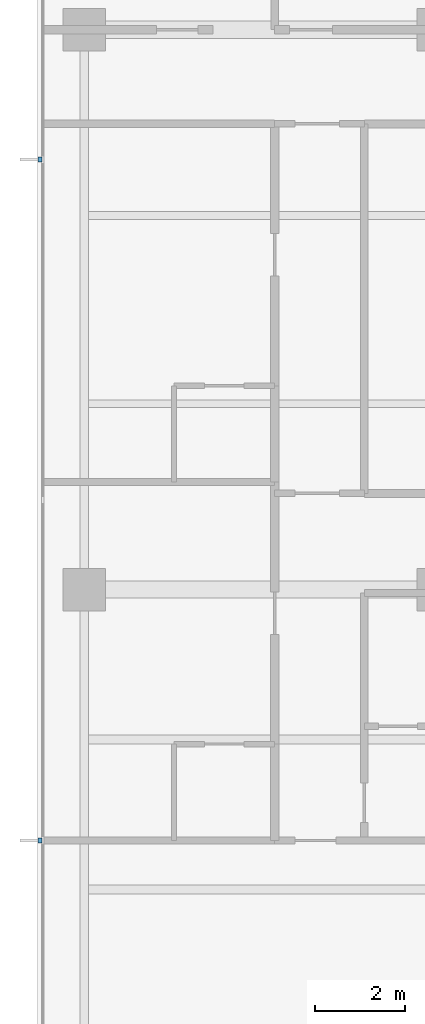
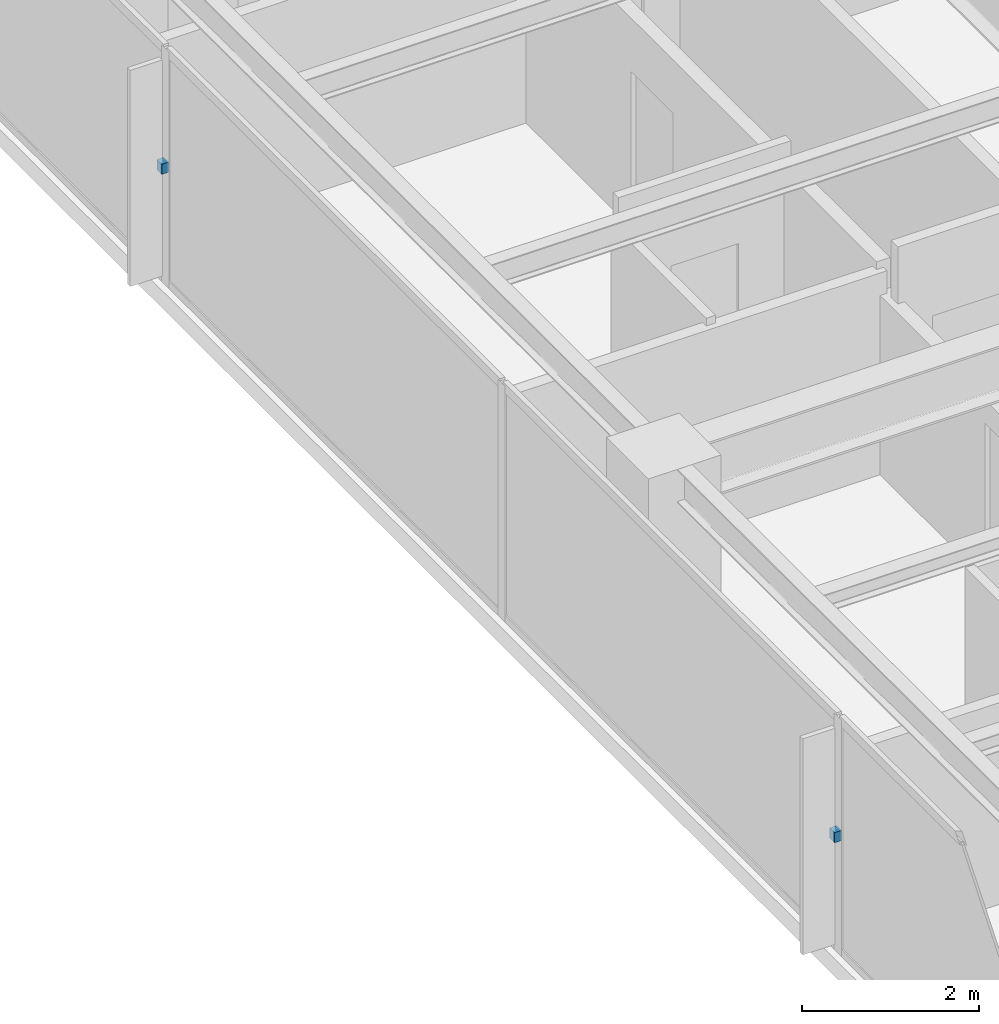
# One storey, part 11 of 15: 2 discrete accessories.
"""IFC4 building model written with IfcOpenShell, lengths in metres."""

from ifc_helpers import new_model, si_unit, direction, frame, origin, place, context, subcontext, project, spatial, polyline, outline, extrude, material, type_object, element, save


model = new_model("IFC4")

# Units and contexts
model_context = context("Model", 3, precision=1e-05, world=origin(), true_north=direction((0.0, 1.0)))
body_context = subcontext(model_context, "Body", "Model", "MODEL_VIEW")
ifc_project = project(units=[si_unit("LENGTHUNIT", "METRE"), si_unit("AREAUNIT", "SQUARE_METRE"), si_unit("VOLUMEUNIT", "CUBIC_METRE"), si_unit("PLANEANGLEUNIT", "RADIAN"), si_unit("MASSUNIT", "GRAM", prefix="KILO")], contexts=[model_context])

# Site, building, storey
site_placement = place(None, origin())
site = spatial("IfcSite", under=ifc_project, at=site_placement, CompositionType="ELEMENT")
building_placement = place(site_placement, origin())
building = spatial("IfcBuilding", under=site, at=building_placement, Name="Qalmaran Belvedere Hotel", CompositionType="ELEMENT")
storey_placement = place(building_placement, frame((0.0, 0.0, 214.39990234375)))
storey = spatial("IfcBuildingStorey", under=building, at=storey_placement, Name="L54", CompositionType="ELEMENT", Elevation=214.39990234375)

# Discrete accessories
ifc_material = material(Name="Stainless Steel 1.4401", Category="steel")
discrete_accessory_type = type_object("IfcDiscreteAccessoryType", Name="BRK-FIN-SS316", PredefinedType="BRACKET", material=ifc_material)
discrete_accessory_1_placement = place(storey_placement, frame((0.0, 0.0, 1.580078125)))
element("IfcDiscreteAccessory", 1, at=discrete_accessory_1_placement, inside=storey, type_object=discrete_accessory_type, Name="L54 Fin Bracket 1", PredefinedType="BRACKET", context=body_context, shape_type="SweptSolid", body=[
    extrude(outline(polyline([(11.455078125, 30.155029296875), (11.362548828125, 30.155029296875), (11.362548828125, 30.044921875), (11.455078125, 30.044921875), (11.455078125, 30.155029296875)])), origin(), (0.0, 0.0, 1.0), 0.14013671875),
])
discrete_accessory_2_placement = place(storey_placement, frame((0.0, 0.0, 1.580078125)))
element("IfcDiscreteAccessory", 2, at=discrete_accessory_2_placement, inside=storey, type_object=discrete_accessory_type, Name="L54 Fin Bracket 3", PredefinedType="BRACKET", context=body_context, shape_type="SweptSolid", body=[
    extrude(outline(polyline([(11.455078125, 14.955078125), (11.362548828125, 14.955078125), (11.362548828125, 14.844970703125), (11.455078125, 14.844970703125), (11.455078125, 14.955078125)])), origin(), (0.0, 0.0, 1.0), 0.14013671875),
])

save(model, "model.ifc")
